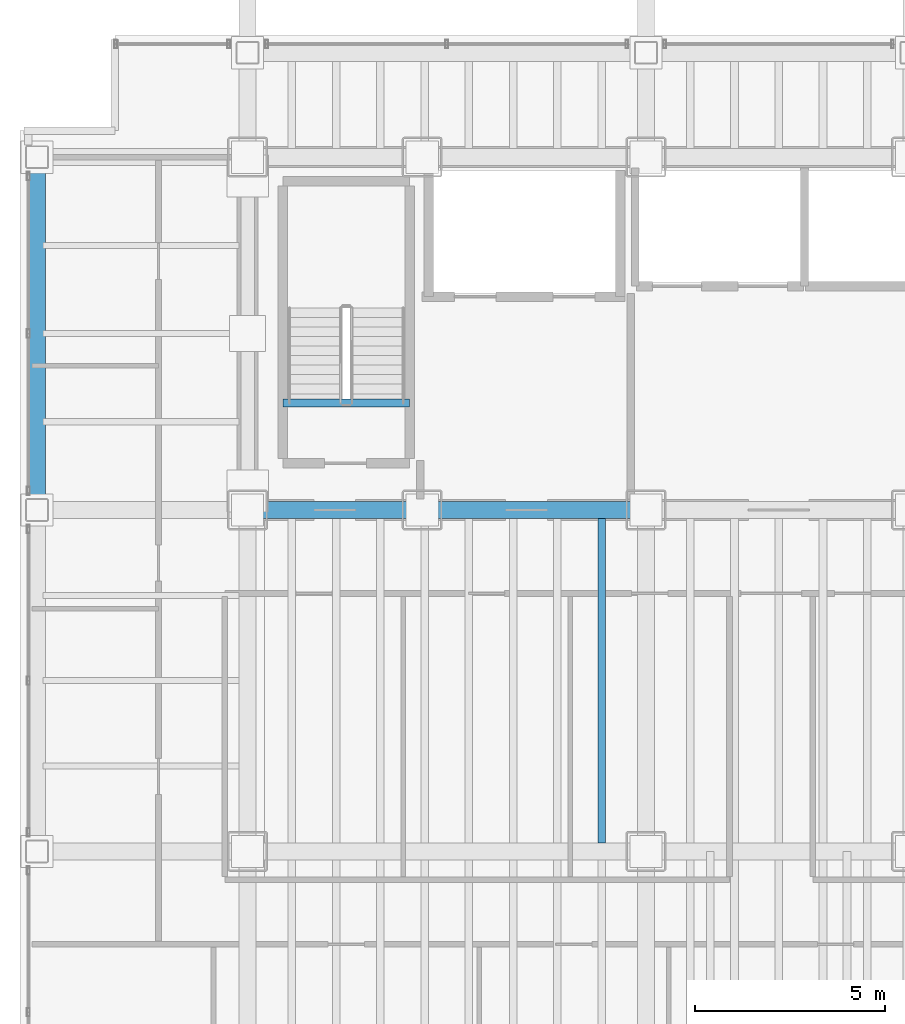
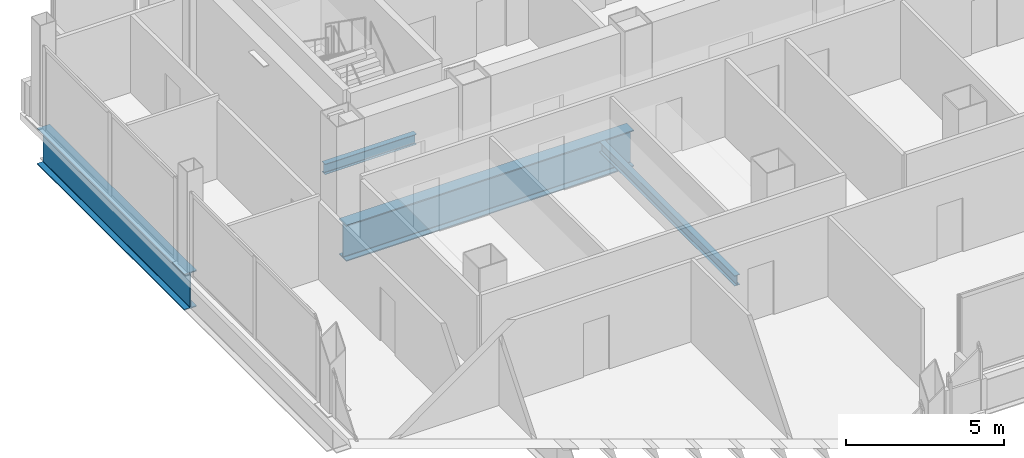
# One storey, part 6 of 21: 4 beams.
"""IFC4 building model written with IfcOpenShell, lengths in metres."""

from ifc_helpers import new_model, si_unit, direction, frame, origin, origin_2d, place, context, subcontext, project, spatial, i_section, extrude, material, material_profile, profile_set, type_object, element, save


model = new_model("IFC4")

# Units and contexts
model_context = context("Model", 3, precision=1e-05, world=origin(), true_north=direction((0.0, 1.0)))
body_context = subcontext(model_context, "Body", "Model", "MODEL_VIEW")
ifc_project = project(units=[si_unit("LENGTHUNIT", "METRE"), si_unit("AREAUNIT", "SQUARE_METRE"), si_unit("VOLUMEUNIT", "CUBIC_METRE"), si_unit("PLANEANGLEUNIT", "RADIAN"), si_unit("MASSUNIT", "GRAM", prefix="KILO")], contexts=[model_context])

# Site, building, storey
site_placement = place(None, origin())
site = spatial("IfcSite", under=ifc_project, at=site_placement, CompositionType="ELEMENT")
building_placement = place(site_placement, origin())
building = spatial("IfcBuilding", under=site, at=building_placement, Name="Noeulbin Bourse Tower", CompositionType="ELEMENT")
storey_placement = place(building_placement, frame((0.0, 0.0, 81.10009765625)))
storey = spatial("IfcBuildingStorey", under=building, at=storey_placement, Name="L20", CompositionType="ELEMENT", Elevation=81.10009765625)

# Beams
ifc_material_1 = material(Name="Steel S355", Category="steel")
ifc_material_profile_1 = material_profile(ifc_material_1, i_section(OverallWidth=0.199951171875, OverallDepth=0.39990234375, WebThickness=0.008056640625, FlangeThickness=0.012939453125, FilletRadius=0.01611328125, at=origin_2d()), Name="H-400x200x8x13", Category="LoadBearing")
ifc_profile_set_1 = profile_set([ifc_material_profile_1], Name="Steel S355")
beam_type_1 = type_object("IfcBeamType", Name="BM-SEC-400", PredefinedType="BEAM", material=ifc_profile_set_1)
beam_1_placement = place(storey_placement, frame((22.833251953125, 20.22509765625, -0.440185546875), z_axis=(0.0, 1.0, 0.0), x_axis=(-1.0, 0.0, 0.0)))
element("IfcBeam", 1, at=beam_1_placement, inside=storey, type_object=beam_type_1, Name="Tower Composite Joist L20-23", PredefinedType="BEAM", context=body_context, shape_type="SweptSolid", body=[
    extrude(i_section(OverallWidth=0.199951171875, OverallDepth=0.39990234375, WebThickness=0.008056640625, FlangeThickness=0.012939453125, FilletRadius=0.01611328125, at=origin_2d()), origin(), (0.0, 0.0, 1.0), 8.5498046875),
])
beam_2_placement = place(storey_placement, frame((14.429931640625, 31.820068359375, -0.2001953125), z_axis=(1.0, 0.0, 0.0), x_axis=(0.0, 1.0, 0.0)))
element("IfcBeam", 2, at=beam_2_placement, inside=storey, type_object=beam_type_1, Name="Stair Threshold Trimmer Beam ST1-L20", PredefinedType="BEAM", context=body_context, shape_type="SweptSolid", body=[
    extrude(i_section(OverallWidth=0.199951171875, OverallDepth=0.39990234375, WebThickness=0.008056640625, FlangeThickness=0.012939453125, FilletRadius=0.01611328125, at=origin_2d()), origin(), (0.0, 0.0, 1.0), 3.340087890625),
])
ifc_material_2 = material(Name="Steel S460", Category="steel")
ifc_material_profile_2 = material_profile(ifc_material_2, i_section(OverallWidth=0.449951171875, OverallDepth=1.39990234375, WebThickness=0.02392578125, FlangeThickness=0.0400390625, FilletRadius=0.02392578125, at=origin_2d()), Name="PG-1400x450x24x40", Category="LoadBearing")
ifc_profile_set_2 = profile_set([ifc_material_profile_2], Name="Steel S460")
beam_type_2 = type_object("IfcBeamType", Name="BM-TRF-1400", PredefinedType="USERDEFINED", material=ifc_profile_set_2)
beam_3_placement = place(storey_placement, frame((13.5, 29.0, -0.940185546875), z_axis=(1.0, 0.0, 0.0), x_axis=(0.0, 1.0, 0.0)))
element("IfcBeam", 3, at=beam_3_placement, inside=storey, type_object=beam_type_2, Name="Tower Primary Girder EW L20-2.2", ObjectType="GIRDER", PredefinedType="USERDEFINED", context=body_context, shape_type="SweptSolid", body=[
    extrude(i_section(OverallWidth=0.449951171875, OverallDepth=1.39990234375, WebThickness=0.02392578125, FlangeThickness=0.0400390625, FilletRadius=0.02392578125, at=origin_2d()), origin(), (0.0, 0.0, 1.0), 10.5),
])
beam_4_placement = place(storey_placement, frame((7.949951171875, 29.0, -0.940185546875), z_axis=(0.0, 1.0, 0.0), x_axis=(-1.0, 0.0, 0.0)))
element("IfcBeam", 4, at=beam_4_placement, inside=storey, type_object=beam_type_2, Name="West Spandrel L20-2", ObjectType="GIRDER", PredefinedType="USERDEFINED", context=body_context, shape_type="SweptSolid", body=[
    extrude(i_section(OverallWidth=0.449951171875, OverallDepth=1.39990234375, WebThickness=0.02392578125, FlangeThickness=0.0400390625, FilletRadius=0.02392578125, at=origin_2d()), origin(), (0.0, 0.0, 1.0), 9.300048828125),
])

save(model, "model.ifc")
